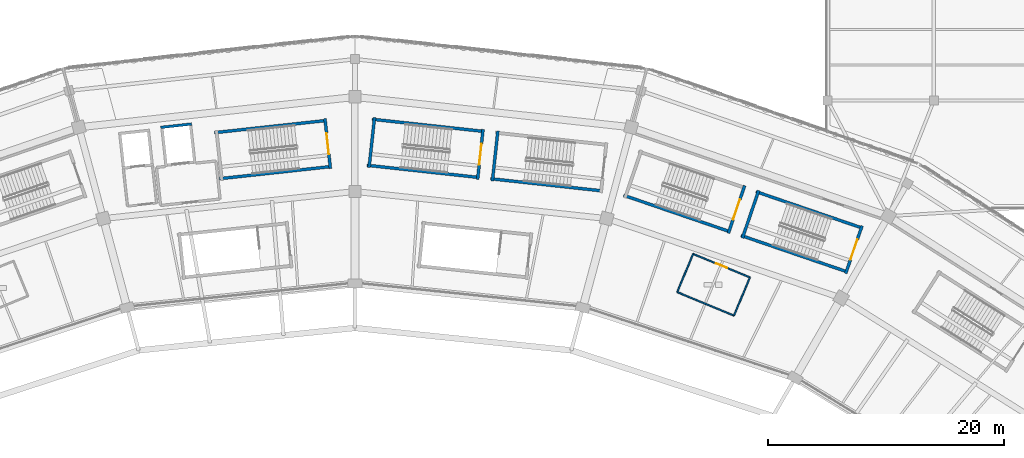
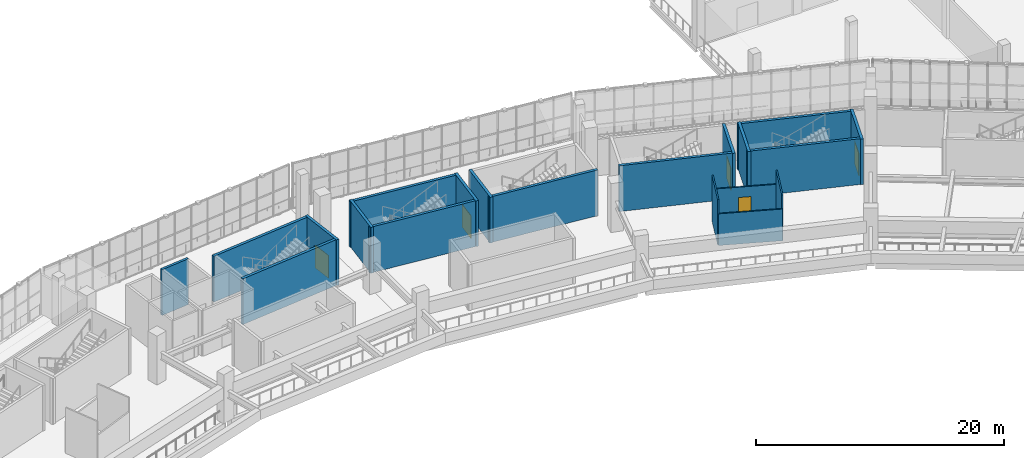
# One storey, part 110 of 179: 20 walls, 5 doors, 5 openings.
"""IFC4 building model written with IfcOpenShell, lengths in metres."""

import ifcopenshell
import ifcopenshell.guid

model = None  # the IFC model being written
_history = None  # IfcOwnerHistory: only IFC2X3 demands one
_inside = {}  # id of a spatial element -> (the spatial element, [elements in it])
_under = {}  # id of a project, library or spatial element -> (it, [spatial elements below it])
_declared = {}  # id of a project -> (the project, [libraries it declares])
_typed = {}  # id of a type object -> (the type object, [elements of that type])
_made_of = {}  # id of a material, layer set ... -> (it, [elements and type objects made of it])


def new_model(schema):
    """Start an empty IFC model of exactly this schema.

    Asked for "IFC4X3", IfcOpenShell would pick the latest addendum, in which some entities
    have other attributes; the version numbers below select the first issue.
    IFC2X3 requires an IfcOwnerHistory on every rooted entity: one is made here for all.
    """
    global model, _history
    if schema == "IFC4X3":
        model = ifcopenshell.file(schema_version=(4, 3, 0, 0))
    else:
        model = ifcopenshell.file(schema=schema)
    _inside.clear()
    _under.clear()
    _declared.clear()
    _typed.clear()
    _made_of.clear()
    _history = None
    if model.schema == "IFC2X3":
        org = make("IfcOrganization", Name="unknown")
        user = make(
            "IfcPersonAndOrganization",
            ThePerson=make("IfcPerson", FamilyName="unknown"),
            TheOrganization=org,
        )
        app = make(
            "IfcApplication",
            ApplicationDeveloper=org,
            Version="unknown",
            ApplicationFullName="unknown",
            ApplicationIdentifier="unknown",
        )
        _history = make(
            "IfcOwnerHistory",
            OwningUser=user,
            OwningApplication=app,
            ChangeAction="ADDED",
            CreationDate=0,
        )
    return model


def make(cls, **values):
    """One entity of the class cls with the attributes given. An attribute that is None is left unset."""
    return model.create_entity(
        cls, **{name: value for name, value in values.items() if value is not None}
    )


def rooted(cls, **values):
    """An entity with a GlobalId (a new one), such as an element, a storey or a relation."""
    return make(cls, GlobalId=ifcopenshell.guid.new(), OwnerHistory=_history, **values)


def si_unit(unit_type, name, prefix=None):
    """IfcSIUnit, for example si_unit("LENGTHUNIT", "METRE", prefix="MILLI")."""
    return make("IfcSIUnit", UnitType=unit_type, Prefix=prefix, Name=name)


def assignment(units):
    """IfcUnitAssignment: the units of a project."""
    return None if units is None else make("IfcUnitAssignment", Units=units)


def point(xyz):
    """IfcCartesianPoint."""
    return None if xyz is None else make("IfcCartesianPoint", Coordinates=xyz)


def direction(xyz):
    """IfcDirection."""
    return None if xyz is None else make("IfcDirection", DirectionRatios=xyz)


def frame(location, z_axis=None, x_axis=None):
    """IfcAxis2Placement3D, a coordinate frame: its origin and axes. An axis left out is left unset."""
    return make(
        "IfcAxis2Placement3D",
        Location=point(location),
        Axis=direction(z_axis),
        RefDirection=direction(x_axis),
    )


def frame_2d(location, x_axis=None):
    """IfcAxis2Placement2D, a coordinate frame in the plane: its origin and x axis."""
    return make(
        "IfcAxis2Placement2D", Location=point(location), RefDirection=direction(x_axis)
    )


def origin():
    """The frame at (0, 0, 0) with its axes left unset."""
    return frame((0.0, 0.0, 0.0))


def place(relative_to, where):
    """IfcLocalPlacement: puts the frame where relative to a parent placement (None: the world)."""
    return make(
        "IfcLocalPlacement", PlacementRelTo=relative_to, RelativePlacement=where
    )


def context(
    kind, dimensions, precision=None, world=None, true_north=None, identifier=None
):
    """IfcGeometricRepresentationContext, for example the 3D "Model" context."""
    return make(
        "IfcGeometricRepresentationContext",
        ContextIdentifier=identifier,
        ContextType=kind,
        CoordinateSpaceDimension=dimensions,
        Precision=precision,
        WorldCoordinateSystem=world,
        TrueNorth=true_north,
    )


def subcontext(parent, identifier, kind, view, scale=None):
    """IfcGeometricRepresentationSubContext, for example "Body" below "Model"."""
    return make(
        "IfcGeometricRepresentationSubContext",
        ContextIdentifier=identifier,
        ContextType=kind,
        ParentContext=parent,
        TargetScale=scale,
        TargetView=view,
    )


def project(units=None, contexts=None):
    """IfcProject with its units and contexts."""
    return rooted(
        "IfcProject",
        Name="project",
        RepresentationContexts=contexts,
        UnitsInContext=assignment(units),
    )


def spatial(cls, under=None, at=None, **own):
    """A site, building, storey or space (cls), placed at a placement, below another one or the project."""
    s = rooted(cls, ObjectPlacement=at, **own)
    if under is not None:
        _under.setdefault(under.id(), (under, []))[1].append(s)
    return s


def profile(cls, at=None, kind="AREA", **sizes):
    """A parametric profile (cls). Its sizes go by their IFC names, for example OverallWidth=200.0."""
    return make(cls, ProfileType=kind, Position=at, **sizes)


def rectangle(**sizes):
    """IfcRectangleProfileDef."""
    return profile("IfcRectangleProfileDef", **sizes)


def extrude(swept, where, along, depth):
    """IfcExtrudedAreaSolid: the profile swept, set in the frame where, extruded along a direction by depth."""
    return make(
        "IfcExtrudedAreaSolid",
        SweptArea=swept,
        Position=where,
        ExtrudedDirection=direction(along),
        Depth=depth,
    )


def shape(context_of_items, identifier, shape_type, items):
    """IfcShapeRepresentation: the items that make up one representation, for example the "Body"."""
    return make(
        "IfcShapeRepresentation",
        ContextOfItems=context_of_items,
        RepresentationIdentifier=identifier,
        RepresentationType=shape_type,
        Items=items,
    )


def material(Name=None, Category=None):
    """IfcMaterial."""
    return make("IfcMaterial", Name=Name, Category=Category)


def layer(
    of_material, thickness, ventilated=None, Name=None, Category=None, Priority=None
):
    """IfcMaterialLayer: one layer of a wall or slab, of a material (None: an air gap)."""
    return make(
        "IfcMaterialLayer",
        Material=of_material,
        LayerThickness=thickness,
        IsVentilated=ventilated,
        Name=Name,
        Category=Category,
        Priority=Priority,
    )


def layer_set(layers, Name=None):
    """IfcMaterialLayerSet."""
    return make("IfcMaterialLayerSet", MaterialLayers=layers, LayerSetName=Name)


def made_of(thing, what):
    """Note that an element or type object is made of a material, layer set ...; save() writes the relation."""
    if what is not None:
        _made_of.setdefault(what.id(), (what, []))[1].append(thing)
    return thing


def type_object(cls, material=None, **own):
    """A type object (cls), such as IfcWallType, which elements share."""
    return made_of(rooted(cls, **own), material)


def element(
    cls,
    number,
    at=None,
    inside=None,
    cuts=None,
    type_object=None,
    material=None,
    context=None,
    identifier="Body",
    shape_type=None,
    held_by="IfcProductDefinitionShape",
    body=None,
    shapes=None,
    **own,
):
    """One element of the class cls, such as IfcWall. Its Tag is "e" and its number.

    at: its placement. inside: the storey or other place that contains it. cuts: it is an
    opening in that element (IfcRelVoidsElement). A single representation is given by context,
    identifier, shape_type and body (its items); several are given by shapes. held_by: the class
    of the entity that holds the representations. save() writes the other relations.
    """
    e = rooted(cls, Tag="e%d" % number, ObjectPlacement=at, **own)
    if body is not None:
        shapes = [shape(context, identifier, shape_type, body)]
    if shapes is not None:
        e.Representation = make(held_by, Representations=shapes)
    if inside is not None:
        _inside.setdefault(inside.id(), (inside, []))[1].append(e)
    if cuts is not None:
        rooted(
            "IfcRelVoidsElement", RelatingBuildingElement=cuts, RelatedOpeningElement=e
        )
    if type_object is not None:
        _typed.setdefault(type_object.id(), (type_object, []))[1].append(e)
    return made_of(e, material)


def fill(opening, filler):
    """IfcRelFillsElement: the door or window that sits in an opening."""
    return rooted(
        "IfcRelFillsElement",
        RelatingOpeningElement=opening,
        RelatedBuildingElement=filler,
    )


def aggregate(whole, parts):
    """IfcRelAggregates: a whole, such as a stair, and the parts it consists of."""
    return rooted("IfcRelAggregates", RelatingObject=whole, RelatedObjects=parts)


def save(model, path):
    """Write the relations noted so far, then the file.

    IfcRelAggregates (storeys below a building ...), IfcRelContainedInSpatialStructure (elements
    in a storey), IfcRelDefinesByType, IfcRelAssociatesMaterial and IfcRelDeclares: one each for
    every whole, place, type object, material and project.
    """
    for whole, parts in _under.values():
        aggregate(whole, parts)
    for where, things in _inside.values():
        rooted(
            "IfcRelContainedInSpatialStructure",
            RelatedElements=things,
            RelatingStructure=where,
        )
    for kind, things in _typed.values():
        rooted("IfcRelDefinesByType", RelatedObjects=things, RelatingType=kind)
    for what, things in _made_of.values():
        rooted("IfcRelAssociatesMaterial", RelatedObjects=things, RelatingMaterial=what)
    for by, libraries in _declared.values():
        rooted("IfcRelDeclares", RelatingContext=by, RelatedDefinitions=libraries)
    model.write(path)


model = new_model("IFC4")

# Units and contexts
model_context = context("Model", 3, precision=1e-05, world=origin(), true_north=direction((0.0, 1.0)))
body_context = subcontext(model_context, "Body", "Model", "MODEL_VIEW")
ifc_project = project(units=[si_unit("LENGTHUNIT", "METRE"), si_unit("AREAUNIT", "SQUARE_METRE"), si_unit("VOLUMEUNIT", "CUBIC_METRE"), si_unit("PLANEANGLEUNIT", "RADIAN"), si_unit("MASSUNIT", "GRAM", prefix="KILO")], contexts=[model_context])

# Site, building, storey
site_placement = place(None, origin())
site = spatial("IfcSite", under=ifc_project, at=site_placement, CompositionType="ELEMENT")
building_placement = place(site_placement, origin())
building = spatial("IfcBuilding", under=site, at=building_placement, Name="Zevraka Park Crest Stadium", CompositionType="ELEMENT")
storey_placement = place(building_placement, frame((0.0, 0.0, 10.199951171875)))
storey = spatial("IfcBuildingStorey", under=building, at=storey_placement, Name="L02", CompositionType="ELEMENT", Elevation=10.199951171875)

# Walls
ifc_material_1 = material(Name="Moisture-resistant sanitary partition", Category="other")
ifc_layer_1 = layer(ifc_material_1, 0.1201171875)
ifc_layer_set_1 = layer_set([ifc_layer_1], Name="Moisture-resistant sanitary partition")
wall_type_1 = type_object("IfcWallType", Name="IW04", PredefinedType="PARTITIONING", material=ifc_layer_set_1)
wall_1_placement = place(storey_placement, frame((144.0791015625, 148.7939453125, 0.0), z_axis=(0.0, 0.0, 1.0), x_axis=(-0.923877780955, 0.38268766097, 0.0)))
element("IfcWall", 1, at=wall_1_placement, inside=storey, type_object=wall_type_1, Name="Sanitary Enclosure Wall IW04 Female WC L02-002-1", PredefinedType="PARTITIONING", context=body_context, shape_type="SweptSolid", body=[
    extrude(rectangle(XDim=5.199951171875, YDim=0.1201171875, at=frame_2d((2.60009765625, 0.0))), origin(), (0.0, 0.0, 1.0), 3.113037109375),
])
wall_2_placement = place(storey_placement, frame((139.27490234375, 150.783935546875, 0.0), z_axis=(0.0, 0.0, 1.0), x_axis=(0.38265781443, 0.923890143391, 0.0)))
element("IfcWall", 2, at=wall_2_placement, inside=storey, type_object=wall_type_1, Name="Sanitary Enclosure Wall IW04 Female WC L02-002-2", PredefinedType="PARTITIONING", context=body_context, shape_type="SweptSolid", body=[
    extrude(rectangle(XDim=3.49951171875, YDim=0.1201171875, at=frame_2d((1.749755859375, 0.0))), origin(), (0.0, 0.0, 1.0), 4.47998046875),
])

# Wall, opening, door
wall_3_placement = place(storey_placement, frame((140.614013671875, 154.01708984375, 0.0), z_axis=(0.0, 0.0, 1.0), x_axis=(0.923898404293, -0.382637868675, 0.0)))
wall_3 = element("IfcWall", 3, at=wall_3_placement, inside=storey, type_object=wall_type_1, Name="Sanitary Enclosure Wall IW04 Female WC L02-002-3", PredefinedType="PARTITIONING", context=body_context, shape_type="SweptSolid", body=[
    extrude(rectangle(XDim=5.20068359375, YDim=0.1201171875, at=frame_2d((2.600341796875, 0.0))), origin(), (0.0, 0.0, 1.0), 3.113037109375),
])
opening_1_placement = place(wall_3_placement, frame((2.10009765625, 0.0, 0.0)))
opening_1 = element("IfcOpeningElement", 4, at=opening_1_placement, cuts=wall_3, Name="Opening D-L02-344", PredefinedType="OPENING", context=body_context, shape_type="SweptSolid", body=[
    extrude(rectangle(XDim=1.0, YDim=2.10009765625, at=frame_2d((0.5, 1.050048828125))), frame((0.0, 0.070068359375, 0.0), z_axis=(0.0, -1.0, 0.0), x_axis=(1.0, 0.0, 0.0)), (0.0, 0.0, 1.0), 0.14013671875),
])
ifc_material_2 = material(Name="Solid-core hardwood timber leaf in steel frame", Category="steel")
door_type_1 = type_object("IfcDoorType", Name="DR09", OperationType="NOTDEFINED", PredefinedType="DOOR", material=ifc_material_2)
door_1_placement = place(opening_1_placement, origin())
door_1 = element("IfcDoor", 5, at=door_1_placement, inside=storey, type_object=door_type_1, Name="Female WC Door D-L02-344", OperationType="SINGLE_SWING_RIGHT", OverallHeight=2.10009765625, OverallWidth=1.0, PredefinedType="DOOR", context=body_context, shape_type="SweptSolid", body=[
    extrude(rectangle(XDim=1.0, YDim=2.10009765625, at=frame_2d((0.5, 1.050048828125))), frame((0.0, 0.02490234375, 0.0), z_axis=(0.0, -1.0, 0.0), x_axis=(1.0, 0.0, 0.0)), (0.0, 0.0, 1.0), 0.050048828125),
])
fill(opening_1, door_1)

# Walls
wall_4_placement = place(storey_placement, frame((145.4189453125, 152.027099609375, 0.0), z_axis=(0.0, 0.0, 1.0), x_axis=(-0.38283644003, -0.923816139816, 0.0)))
element("IfcWall", 6, at=wall_4_placement, inside=storey, type_object=wall_type_1, Name="Sanitary Enclosure Wall IW04 Female WC L02-002-4", PredefinedType="PARTITIONING", context=body_context, shape_type="SweptSolid", body=[
    extrude(rectangle(XDim=3.499755859375, YDim=0.1201171875, at=frame_2d((1.75, 0.0))), origin(), (0.0, 0.0, 1.0), 4.47998046875),
])
ifc_material_3 = material(Name="Concrete C40/50", Category="concrete")
ifc_layer_2 = layer(ifc_material_3, 0.25)
ifc_layer_set_2 = layer_set([ifc_layer_2], Name="Concrete C40/50")
wall_type_2 = type_object("IfcWallType", Name="SW01", PredefinedType="SHEAR", material=ifc_layer_set_2)
for number, where, z_axis, x_axis, name in (
    (7, (154.976318359375, 156.190673828125, 0.0), (0.0, 0.0, 1.0), (-0.946064424228, 0.323978556712, 0.0), "Stair Core Shear Wall SW01 ST05 L02 left"),
    (8, (144.671630859375, 155.576171875, 0.0), (0.0, 0.0, 1.0), (0.946064424228, -0.323978556712, 0.0), "Stair Core Shear Wall SW01 ST05 L02 right"),
):
    element("IfcWall", number, at=place(storey_placement, frame(where, z_axis=z_axis, x_axis=x_axis)), inside=storey, type_object=wall_type_2, Name=name, PredefinedType="SHEAR", context=body_context, shape_type="SweptSolid", body=[
        extrude(rectangle(XDim=9.550048828125, YDim=0.25, at=frame_2d((4.77490234375, 0.0))), origin(), (0.0, 0.0, 1.0), 4.5),
    ])

# Wall, opening, door
wall_5_placement = place(storey_placement, frame((153.533203125, 152.36181640625, 0.0), z_axis=(0.0, 0.0, 1.0), x_axis=(0.323971192516, 0.946066946056, 0.0)))
wall_5 = element("IfcWall", 9, at=wall_5_placement, inside=storey, type_object=wall_type_2, Name="Stair Core Shear Wall SW01 ST05 L02 near", PredefinedType="SHEAR", context=body_context, shape_type="SweptSolid", body=[
    extrude(rectangle(XDim=4.260009765625, YDim=0.25, at=frame_2d((2.1298828125, 0.0))), origin(), (0.0, 0.0, 1.0), 4.5),
])
opening_2_placement = place(wall_5_placement, frame((1.22998046875, 0.0, 0.0)))
opening_2 = element("IfcOpeningElement", 10, at=opening_2_placement, cuts=wall_5, Name="Opening D-L02-029", PredefinedType="OPENING", context=body_context, shape_type="SweptSolid", body=[
    extrude(rectangle(XDim=1.800048828125, YDim=2.25, at=frame_2d((0.89990234375, 1.125))), frame((0.0, 0.135009765625, 0.0), z_axis=(0.0, -1.0, 0.0), x_axis=(1.0, 0.0, 0.0)), (0.0, 0.0, 1.0), 0.27001953125),
])
ifc_material_4 = material(Name="Solid-core hardwood timber leaf in steel frame", Category="steel")
door_type_2 = type_object("IfcDoorType", Name="DR04", OperationType="NOTDEFINED", PredefinedType="DOOR", material=ifc_material_4)
door_2_placement = place(opening_2_placement, origin())
door_2 = element("IfcDoor", 11, at=door_2_placement, inside=storey, type_object=door_type_2, Name="Protected Stair Entry Door ST05 L02", OperationType="DOUBLE_DOOR_SINGLE_SWING", OverallHeight=2.25, OverallWidth=1.800048828125, PredefinedType="DOOR", context=body_context, shape_type="SweptSolid", body=[
    extrude(rectangle(XDim=1.800048828125, YDim=2.25, at=frame_2d((0.89990234375, 1.125))), frame((0.0, 0.02490234375, 0.0), z_axis=(0.0, -1.0, 0.0), x_axis=(1.0, 0.0, 0.0)), (0.0, 0.0, 1.0), 0.050048828125),
])
fill(opening_2, door_2)

# Walls
wall_6_placement = place(storey_placement, frame((146.171630859375, 159.385498046875, 0.0), z_axis=(0.0, 0.0, 1.0), x_axis=(-0.323971192516, -0.946066946056, 0.0)))
element("IfcWall", 12, at=wall_6_placement, inside=storey, type_object=wall_type_2, Name="Stair Core Shear Wall SW01 ST05 L02 far", PredefinedType="SHEAR", context=body_context, shape_type="SweptSolid", body=[
    extrude(rectangle(XDim=4.260009765625, YDim=0.25, at=frame_2d((2.1298828125, 0.0))), origin(), (0.0, 0.0, 1.0), 4.5),
])
wall_7_placement = place(storey_placement, frame((123.467041015625, 160.3798828125, 0.0), z_axis=(0.0, 0.0, 1.0), x_axis=(0.994127555169, -0.108214620337, 0.0)))
element("IfcWall", 13, at=wall_7_placement, inside=storey, type_object=wall_type_2, Name="Stair Core Shear Wall SW01 ST06 L02 right", PredefinedType="SHEAR", context=body_context, shape_type="SweptSolid", body=[
    extrude(rectangle(XDim=9.550048828125, YDim=0.25, at=frame_2d((4.77490234375, 0.0))), origin(), (0.0, 0.0, 1.0), 4.5),
])
wall_8_placement = place(storey_placement, frame((124.093505859375, 164.426025390625, 0.0), z_axis=(0.0, 0.0, 1.0), x_axis=(-0.108198315262, -0.994129329903, 0.0)))
element("IfcWall", 14, at=wall_8_placement, inside=storey, type_object=wall_type_2, Name="Stair Core Shear Wall SW01 ST06 L02 far", PredefinedType="SHEAR", context=body_context, shape_type="SweptSolid", body=[
    extrude(rectangle(XDim=4.260009765625, YDim=0.25, at=frame_2d((2.1298828125, 0.0))), origin(), (0.0, 0.0, 1.0), 4.5),
])
for number, where, z_axis, x_axis, name in (
    (15, (109.602783203125, 165.310546875, 0.0), (0.0, 0.0, 1.0), (-0.994127555169, -0.108214620337, 0.0), "Stair Core Shear Wall SW01 ST07 L02 left"),
    (16, (100.533203125, 160.380126953125, 0.0), (0.0, 0.0, 1.0), (0.994127555169, 0.108214620337, 0.0), "Stair Core Shear Wall SW01 ST07 L02 right"),
):
    element("IfcWall", number, at=place(storey_placement, frame(where, z_axis=z_axis, x_axis=x_axis)), inside=storey, type_object=wall_type_2, Name=name, PredefinedType="SHEAR", context=body_context, shape_type="SweptSolid", body=[
        extrude(rectangle(XDim=9.550048828125, YDim=0.25, at=frame_2d((4.77490234375, 0.0))), origin(), (0.0, 0.0, 1.0), 4.5),
    ])

# Wall, opening, door
wall_9_placement = place(storey_placement, frame((109.921142578125, 161.23095703125, 0.0), z_axis=(0.0, 0.0, 1.0), x_axis=(-0.108198315262, 0.994129329903, 0.0)))
wall_9 = element("IfcWall", 17, at=wall_9_placement, inside=storey, type_object=wall_type_2, Name="Stair Core Shear Wall SW01 ST07 L02 near", PredefinedType="SHEAR", context=body_context, shape_type="SweptSolid", body=[
    extrude(rectangle(XDim=4.260009765625, YDim=0.25, at=frame_2d((2.1298828125, 0.0))), origin(), (0.0, 0.0, 1.0), 4.5),
])
opening_3_placement = place(wall_9_placement, frame((1.22998046875, 0.0, 0.0)))
opening_3 = element("IfcOpeningElement", 18, at=opening_3_placement, cuts=wall_9, Name="Opening D-L02-040", PredefinedType="OPENING", context=body_context, shape_type="SweptSolid", body=[
    extrude(rectangle(XDim=1.800048828125, YDim=2.25, at=frame_2d((0.89990234375, 1.125))), frame((0.0, 0.135009765625, 0.0), z_axis=(0.0, -1.0, 0.0), x_axis=(1.0, 0.0, 0.0)), (0.0, 0.0, 1.0), 0.27001953125),
])
door_3_placement = place(opening_3_placement, origin())
door_3 = element("IfcDoor", 19, at=door_3_placement, inside=storey, type_object=door_type_2, Name="Protected Stair Entry Door ST07 L02", OperationType="DOUBLE_DOOR_SINGLE_SWING", OverallHeight=2.25, OverallWidth=1.800048828125, PredefinedType="DOOR", context=body_context, shape_type="SweptSolid", body=[
    extrude(rectangle(XDim=1.800048828125, YDim=2.25, at=frame_2d((0.89990234375, 1.125))), frame((0.0, 0.02490234375, 0.0), z_axis=(0.0, -1.0, 0.0), x_axis=(1.0, 0.0, 0.0)), (0.0, 0.0, 1.0), 0.050048828125),
])
fill(opening_3, door_3)

# Wall
wall_10_placement = place(storey_placement, frame((134.737548828125, 158.97705078125, 0.0), z_axis=(0.0, 0.0, 1.0), x_axis=(0.946064424228, -0.323978556712, 0.0)))
element("IfcWall", 20, at=wall_10_placement, inside=storey, type_object=wall_type_2, Name="Stair Core Shear Wall SW01 ST25 L02 right", PredefinedType="SHEAR", context=body_context, shape_type="SweptSolid", body=[
    extrude(rectangle(XDim=9.550048828125, YDim=0.25, at=frame_2d((4.77490234375, 0.0))), origin(), (0.0, 0.0, 1.0), 4.5),
])

# Wall, opening, door
wall_11_placement = place(storey_placement, frame((143.59912109375, 155.7626953125, 0.0), z_axis=(0.0, 0.0, 1.0), x_axis=(0.323971192516, 0.946066946056, 0.0)))
wall_11 = element("IfcWall", 21, at=wall_11_placement, inside=storey, type_object=wall_type_2, Name="Stair Core Shear Wall SW01 ST25 L02 near", PredefinedType="SHEAR", context=body_context, shape_type="SweptSolid", body=[
    extrude(rectangle(XDim=4.260009765625, YDim=0.25, at=frame_2d((2.1298828125, 0.0))), origin(), (0.0, 0.0, 1.0), 4.5),
])
opening_4_placement = place(wall_11_placement, frame((1.22998046875, 0.0, 0.0)))
opening_4 = element("IfcOpeningElement", 22, at=opening_4_placement, cuts=wall_11, Name="Opening D-L02-148", PredefinedType="OPENING", context=body_context, shape_type="SweptSolid", body=[
    extrude(rectangle(XDim=1.800048828125, YDim=2.25, at=frame_2d((0.89990234375, 1.125))), frame((0.0, 0.135009765625, 0.0), z_axis=(0.0, -1.0, 0.0), x_axis=(1.0, 0.0, 0.0)), (0.0, 0.0, 1.0), 0.27001953125),
])
door_4_placement = place(opening_4_placement, origin())
door_4 = element("IfcDoor", 23, at=door_4_placement, inside=storey, type_object=door_type_2, Name="Protected Stair Entry Door ST25 L02", OperationType="DOUBLE_DOOR_SINGLE_SWING", OverallHeight=2.25, OverallWidth=1.800048828125, PredefinedType="DOOR", context=body_context, shape_type="SweptSolid", body=[
    extrude(rectangle(XDim=1.800048828125, YDim=2.25, at=frame_2d((0.89990234375, 1.125))), frame((0.0, 0.02490234375, 0.0), z_axis=(0.0, -1.0, 0.0), x_axis=(1.0, 0.0, 0.0)), (0.0, 0.0, 1.0), 0.050048828125),
])
fill(opening_4, door_4)

# Walls
for number, where, z_axis, x_axis, name in (
    (24, (122.947265625, 164.37939453125, 0.0), (0.0, 0.0, 1.0), (-0.994127555169, 0.108214620337, 0.0), "Stair Core Shear Wall SW01 ST26 L02 left"),
    (25, (113.029052734375, 161.515869140625, 0.0), (0.0, 0.0, 1.0), (0.994127555169, -0.108214620337, 0.0), "Stair Core Shear Wall SW01 ST26 L02 right"),
):
    element("IfcWall", number, at=place(storey_placement, frame(where, z_axis=z_axis, x_axis=x_axis)), inside=storey, type_object=wall_type_2, Name=name, PredefinedType="SHEAR", context=body_context, shape_type="SweptSolid", body=[
        extrude(rectangle(XDim=9.550048828125, YDim=0.25, at=frame_2d((4.77490234375, 0.0))), origin(), (0.0, 0.0, 1.0), 4.5),
    ])

# Wall, opening, door
wall_12_placement = place(storey_placement, frame((122.38037109375, 160.326904296875, 0.0), z_axis=(0.0, 0.0, 1.0), x_axis=(0.108198315262, 0.994129329903, 0.0)))
wall_12 = element("IfcWall", 26, at=wall_12_placement, inside=storey, type_object=wall_type_2, Name="Stair Core Shear Wall SW01 ST26 L02 near", PredefinedType="SHEAR", context=body_context, shape_type="SweptSolid", body=[
    extrude(rectangle(XDim=4.260009765625, YDim=0.25, at=frame_2d((2.1298828125, 0.0))), origin(), (0.0, 0.0, 1.0), 4.5),
])
opening_5_placement = place(wall_12_placement, frame((1.22998046875, 0.0, 0.0)))
opening_5 = element("IfcOpeningElement", 27, at=opening_5_placement, cuts=wall_12, Name="Opening D-L02-153", PredefinedType="OPENING", context=body_context, shape_type="SweptSolid", body=[
    extrude(rectangle(XDim=1.800048828125, YDim=2.25, at=frame_2d((0.89990234375, 1.125))), frame((0.0, 0.135009765625, 0.0), z_axis=(0.0, -1.0, 0.0), x_axis=(1.0, 0.0, 0.0)), (0.0, 0.0, 1.0), 0.27001953125),
])
door_5_placement = place(opening_5_placement, origin())
door_5 = element("IfcDoor", 28, at=door_5_placement, inside=storey, type_object=door_type_2, Name="Protected Stair Entry Door ST26 L02", OperationType="DOUBLE_DOOR_SINGLE_SWING", OverallHeight=2.25, OverallWidth=1.800048828125, PredefinedType="DOOR", context=body_context, shape_type="SweptSolid", body=[
    extrude(rectangle(XDim=1.800048828125, YDim=2.25, at=frame_2d((0.89990234375, 1.125))), frame((0.0, 0.02490234375, 0.0), z_axis=(0.0, -1.0, 0.0), x_axis=(1.0, 0.0, 0.0)), (0.0, 0.0, 1.0), 0.050048828125),
])
fill(opening_5, door_5)

# Walls
wall_13_placement = place(storey_placement, frame((113.655517578125, 165.56201171875, 0.0), z_axis=(0.0, 0.0, 1.0), x_axis=(-0.108198315262, -0.994129329903, 0.0)))
element("IfcWall", 29, at=wall_13_placement, inside=storey, type_object=wall_type_2, Name="Stair Core Shear Wall SW01 ST26 L02 far", PredefinedType="SHEAR", context=body_context, shape_type="SweptSolid", body=[
    extrude(rectangle(XDim=4.260009765625, YDim=0.25, at=frame_2d((2.1298828125, 0.0))), origin(), (0.0, 0.0, 1.0), 4.5),
])
ifc_material_5 = material(Name="Concrete C40/50", Category="concrete")
ifc_layer_3 = layer(ifc_material_5, 0.219970703125)
ifc_layer_set_3 = layer_set([ifc_layer_3], Name="Concrete C40/50")
wall_type_3 = type_object("IfcWallType", Name="SW02", PredefinedType="SHEAR", material=ifc_layer_set_3)
wall_14_placement = place(storey_placement, frame((98.18310546875, 165.010986328125, 0.0), z_axis=(0.0, 0.0, 1.0), x_axis=(-0.994077313431, -0.108675180804, 0.0)))
element("IfcWall", 30, at=wall_14_placement, inside=storey, type_object=wall_type_3, Name="Lift Shaft Shear Wall SW02 FL02 L02-1", PredefinedType="SHEAR", context=body_context, shape_type="SweptSolid", body=[
    extrude(rectangle(XDim=2.6396484375, YDim=0.219970703125, at=frame_2d((1.31982421875, 0.0))), origin(), (0.0, 0.0, 1.0), 4.5),
])

save(model, "model.ifc")
